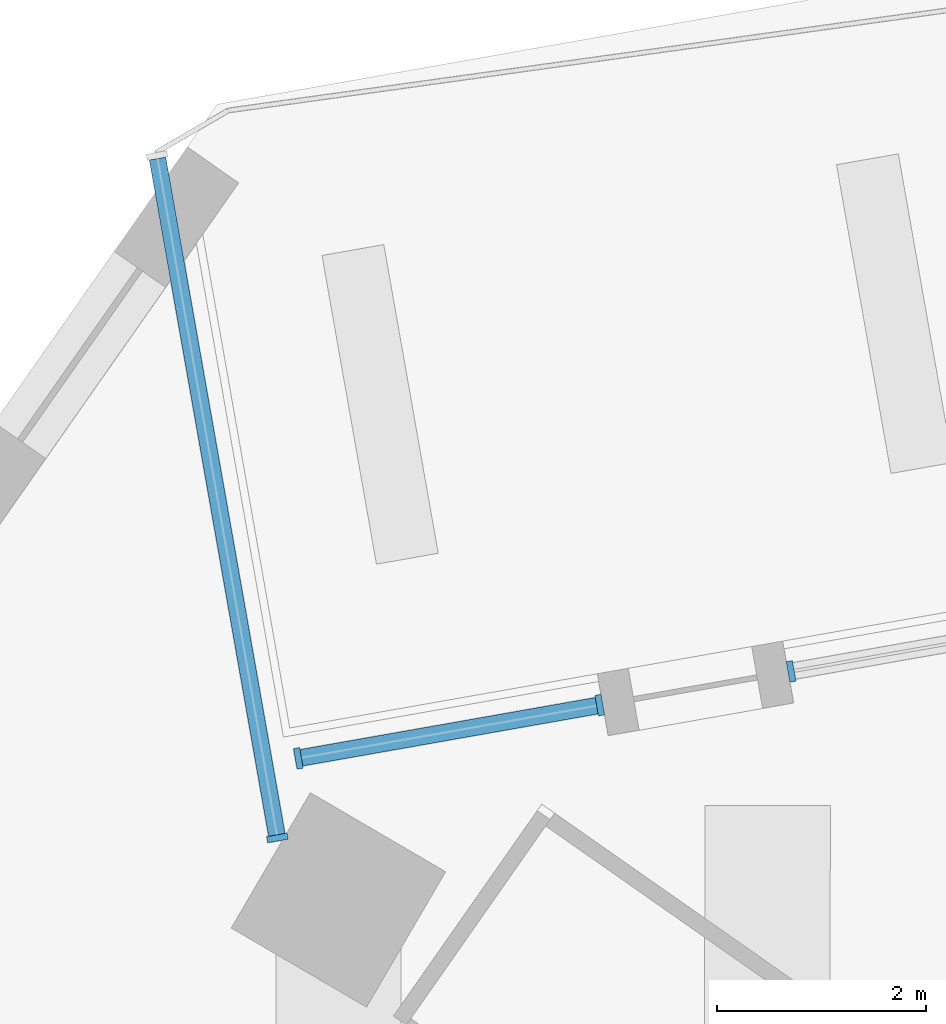
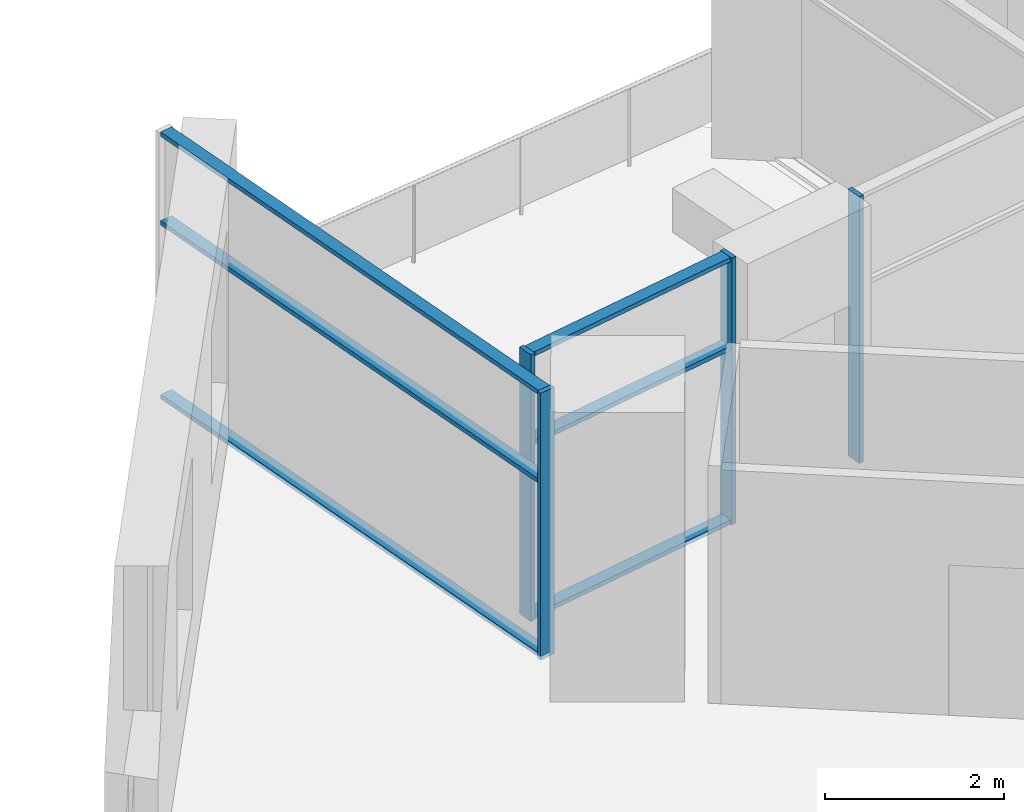
# One storey, part 2 of 13: 10 members, 3 elements without a shape of their own.
"""IFC4 building model written with IfcOpenShell, lengths in metres."""

import ifcopenshell
import ifcopenshell.guid

model = None  # the IFC model being written
_history = None  # IfcOwnerHistory: only IFC2X3 demands one
_inside = {}  # id of a spatial element -> (the spatial element, [elements in it])
_under = {}  # id of a project, library or spatial element -> (it, [spatial elements below it])
_declared = {}  # id of a project -> (the project, [libraries it declares])
_typed = {}  # id of a type object -> (the type object, [elements of that type])
_made_of = {}  # id of a material, layer set ... -> (it, [elements and type objects made of it])


def new_model(schema):
    """Start an empty IFC model of exactly this schema.

    Asked for "IFC4X3", IfcOpenShell would pick the latest addendum, in which some entities
    have other attributes; the version numbers below select the first issue.
    IFC2X3 requires an IfcOwnerHistory on every rooted entity: one is made here for all.
    """
    global model, _history
    if schema == "IFC4X3":
        model = ifcopenshell.file(schema_version=(4, 3, 0, 0))
    else:
        model = ifcopenshell.file(schema=schema)
    _inside.clear()
    _under.clear()
    _declared.clear()
    _typed.clear()
    _made_of.clear()
    _history = None
    if model.schema == "IFC2X3":
        org = make("IfcOrganization", Name="unknown")
        user = make(
            "IfcPersonAndOrganization",
            ThePerson=make("IfcPerson", FamilyName="unknown"),
            TheOrganization=org,
        )
        app = make(
            "IfcApplication",
            ApplicationDeveloper=org,
            Version="unknown",
            ApplicationFullName="unknown",
            ApplicationIdentifier="unknown",
        )
        _history = make(
            "IfcOwnerHistory",
            OwningUser=user,
            OwningApplication=app,
            ChangeAction="ADDED",
            CreationDate=0,
        )
    return model


def make(cls, **values):
    """One entity of the class cls with the attributes given. An attribute that is None is left unset."""
    return model.create_entity(
        cls, **{name: value for name, value in values.items() if value is not None}
    )


def rooted(cls, **values):
    """An entity with a GlobalId (a new one), such as an element, a storey or a relation."""
    return make(cls, GlobalId=ifcopenshell.guid.new(), OwnerHistory=_history, **values)


def si_unit(unit_type, name, prefix=None):
    """IfcSIUnit, for example si_unit("LENGTHUNIT", "METRE", prefix="MILLI")."""
    return make("IfcSIUnit", UnitType=unit_type, Prefix=prefix, Name=name)


def assignment(units):
    """IfcUnitAssignment: the units of a project."""
    return None if units is None else make("IfcUnitAssignment", Units=units)


def point(xyz):
    """IfcCartesianPoint."""
    return None if xyz is None else make("IfcCartesianPoint", Coordinates=xyz)


def direction(xyz):
    """IfcDirection."""
    return None if xyz is None else make("IfcDirection", DirectionRatios=xyz)


def frame(location, z_axis=None, x_axis=None):
    """IfcAxis2Placement3D, a coordinate frame: its origin and axes. An axis left out is left unset."""
    return make(
        "IfcAxis2Placement3D",
        Location=point(location),
        Axis=direction(z_axis),
        RefDirection=direction(x_axis),
    )


def frame_2d(location, x_axis=None):
    """IfcAxis2Placement2D, a coordinate frame in the plane: its origin and x axis."""
    return make(
        "IfcAxis2Placement2D", Location=point(location), RefDirection=direction(x_axis)
    )


def origin():
    """The frame at (0, 0, 0) with its axes left unset."""
    return frame((0.0, 0.0, 0.0))


def origin_2d():
    """The frame at (0, 0) in the plane with its x axis left unset."""
    return frame_2d((0.0, 0.0))


def place(relative_to, where):
    """IfcLocalPlacement: puts the frame where relative to a parent placement (None: the world)."""
    return make(
        "IfcLocalPlacement", PlacementRelTo=relative_to, RelativePlacement=where
    )


def context(
    kind, dimensions, precision=None, world=None, true_north=None, identifier=None
):
    """IfcGeometricRepresentationContext, for example the 3D "Model" context."""
    return make(
        "IfcGeometricRepresentationContext",
        ContextIdentifier=identifier,
        ContextType=kind,
        CoordinateSpaceDimension=dimensions,
        Precision=precision,
        WorldCoordinateSystem=world,
        TrueNorth=true_north,
    )


def subcontext(parent, identifier, kind, view, scale=None):
    """IfcGeometricRepresentationSubContext, for example "Body" below "Model"."""
    return make(
        "IfcGeometricRepresentationSubContext",
        ContextIdentifier=identifier,
        ContextType=kind,
        ParentContext=parent,
        TargetScale=scale,
        TargetView=view,
    )


def project(units=None, contexts=None):
    """IfcProject with its units and contexts."""
    return rooted(
        "IfcProject",
        Name="project",
        RepresentationContexts=contexts,
        UnitsInContext=assignment(units),
    )


def spatial(cls, under=None, at=None, **own):
    """A site, building, storey or space (cls), placed at a placement, below another one or the project."""
    s = rooted(cls, ObjectPlacement=at, **own)
    if under is not None:
        _under.setdefault(under.id(), (under, []))[1].append(s)
    return s


def profile(cls, at=None, kind="AREA", **sizes):
    """A parametric profile (cls). Its sizes go by their IFC names, for example OverallWidth=200.0."""
    return make(cls, ProfileType=kind, Position=at, **sizes)


def rectangle(**sizes):
    """IfcRectangleProfileDef."""
    return profile("IfcRectangleProfileDef", **sizes)


def extrude(swept, where, along, depth):
    """IfcExtrudedAreaSolid: the profile swept, set in the frame where, extruded along a direction by depth."""
    return make(
        "IfcExtrudedAreaSolid",
        SweptArea=swept,
        Position=where,
        ExtrudedDirection=direction(along),
        Depth=depth,
    )


def shape(context_of_items, identifier, shape_type, items):
    """IfcShapeRepresentation: the items that make up one representation, for example the "Body"."""
    return make(
        "IfcShapeRepresentation",
        ContextOfItems=context_of_items,
        RepresentationIdentifier=identifier,
        RepresentationType=shape_type,
        Items=items,
    )


def material(Name=None, Category=None):
    """IfcMaterial."""
    return make("IfcMaterial", Name=Name, Category=Category)


def material_profile(
    of_material, cross_section, Name=None, Category=None, Priority=None
):
    """IfcMaterialProfile: a cross section and its material."""
    return make(
        "IfcMaterialProfile",
        Name=Name,
        Material=of_material,
        Profile=cross_section,
        Priority=Priority,
        Category=Category,
    )


def profile_set(profiles, Name=None, composite=None):
    """IfcMaterialProfileSet."""
    return make(
        "IfcMaterialProfileSet",
        Name=Name,
        MaterialProfiles=profiles,
        CompositeProfile=composite,
    )


def made_of(thing, what):
    """Note that an element or type object is made of a material, layer set ...; save() writes the relation."""
    if what is not None:
        _made_of.setdefault(what.id(), (what, []))[1].append(thing)
    return thing


def type_object(cls, material=None, **own):
    """A type object (cls), such as IfcWallType, which elements share."""
    return made_of(rooted(cls, **own), material)


def element(
    cls,
    number,
    at=None,
    inside=None,
    cuts=None,
    type_object=None,
    material=None,
    context=None,
    identifier="Body",
    shape_type=None,
    held_by="IfcProductDefinitionShape",
    body=None,
    shapes=None,
    **own,
):
    """One element of the class cls, such as IfcWall. Its Tag is "e" and its number.

    at: its placement. inside: the storey or other place that contains it. cuts: it is an
    opening in that element (IfcRelVoidsElement). A single representation is given by context,
    identifier, shape_type and body (its items); several are given by shapes. held_by: the class
    of the entity that holds the representations. save() writes the other relations.
    """
    e = rooted(cls, Tag="e%d" % number, ObjectPlacement=at, **own)
    if body is not None:
        shapes = [shape(context, identifier, shape_type, body)]
    if shapes is not None:
        e.Representation = make(held_by, Representations=shapes)
    if inside is not None:
        _inside.setdefault(inside.id(), (inside, []))[1].append(e)
    if cuts is not None:
        rooted(
            "IfcRelVoidsElement", RelatingBuildingElement=cuts, RelatedOpeningElement=e
        )
    if type_object is not None:
        _typed.setdefault(type_object.id(), (type_object, []))[1].append(e)
    return made_of(e, material)


def aggregate(whole, parts):
    """IfcRelAggregates: a whole, such as a stair, and the parts it consists of."""
    return rooted("IfcRelAggregates", RelatingObject=whole, RelatedObjects=parts)


def save(model, path):
    """Write the relations noted so far, then the file.

    IfcRelAggregates (storeys below a building ...), IfcRelContainedInSpatialStructure (elements
    in a storey), IfcRelDefinesByType, IfcRelAssociatesMaterial and IfcRelDeclares: one each for
    every whole, place, type object, material and project.
    """
    for whole, parts in _under.values():
        aggregate(whole, parts)
    for where, things in _inside.values():
        rooted(
            "IfcRelContainedInSpatialStructure",
            RelatedElements=things,
            RelatingStructure=where,
        )
    for kind, things in _typed.values():
        rooted("IfcRelDefinesByType", RelatedObjects=things, RelatingType=kind)
    for what, things in _made_of.values():
        rooted("IfcRelAssociatesMaterial", RelatedObjects=things, RelatingMaterial=what)
    for by, libraries in _declared.values():
        rooted("IfcRelDeclares", RelatingContext=by, RelatedDefinitions=libraries)
    model.write(path)


model = new_model("IFC4")

# Units and contexts
model_context = context("Model", 3, precision=1e-05, world=origin(), true_north=direction((0.0, 1.0)))
body_context = subcontext(model_context, "Body", "Model", "MODEL_VIEW")
ifc_project = project(units=[si_unit("LENGTHUNIT", "METRE"), si_unit("AREAUNIT", "SQUARE_METRE"), si_unit("VOLUMEUNIT", "CUBIC_METRE"), si_unit("PLANEANGLEUNIT", "RADIAN"), si_unit("MASSUNIT", "GRAM", prefix="KILO")], contexts=[model_context])

# Site, building, storey
site_placement = place(None, origin())
site = spatial("IfcSite", under=ifc_project, at=site_placement, CompositionType="ELEMENT")
building_placement = place(site_placement, origin())
building = spatial("IfcBuilding", under=site, at=building_placement, Name="Dilmun Exchange Tower", CompositionType="ELEMENT")
storey_placement = place(building_placement, frame((0.0, 0.0, 242.89990234375)))
storey = spatial("IfcBuildingStorey", under=building, at=storey_placement, Name="L57", CompositionType="ELEMENT", Elevation=242.89990234375)

# Curtain wall, member
ifc_material_1 = material(Name="Anodised aluminium and clear glass", Category="aluminium")
curtain_wall_type = type_object("IfcCurtainWallType", Name="Garden corner glazing", PredefinedType="NOTDEFINED", material=ifc_material_1)
curtain_wall_1_placement = place(storey_placement, origin())
curtain_wall_1 = element("IfcCurtainWall", 1, at=curtain_wall_1_placement, inside=storey, type_object=curtain_wall_type, Name="Garden corner glazing run GC2.1", PredefinedType="NOTDEFINED")
ifc_material_2 = material(Name="Anodised aluminium", Category="aluminium")
ifc_material_profile_1 = material_profile(ifc_material_2, rectangle(XDim=0.199951171875, YDim=0.06005859375, at=origin_2d()), Name="AL 60x200")
ifc_profile_set_1 = profile_set([ifc_material_profile_1], Name="Anodised aluminium")
member_type_1 = type_object("IfcMemberType", Name="Garden corner glazing mullion 60 x 200", PredefinedType="MULLION", material=ifc_profile_set_1)
member_1_placement = place(storey_placement, frame((0.417236328125, 28.643798828125, 0.0), z_axis=(0.0, 0.0, 1.0), x_axis=(0.173630743351, -0.984810826993, 0.0)))
member_1 = element("IfcMember", 2, at=member_1_placement, type_object=member_type_1, Name="GC2.1 mullion 2", PredefinedType="MULLION", context=body_context, shape_type="SweptSolid", body=[
    extrude(rectangle(XDim=0.199951171875, YDim=0.06005859375, at=origin_2d()), origin(), (0.0, 0.0, 1.0), 3.64013671875),
])
aggregate(curtain_wall_1, [member_1])

# Curtain wall, members
curtain_wall_2_placement = place(storey_placement, origin())
curtain_wall_2 = element("IfcCurtainWall", 3, at=curtain_wall_2_placement, inside=storey, type_object=curtain_wall_type, Name="Garden corner glazing run GC2.3", PredefinedType="NOTDEFINED")
member_2_placement = place(storey_placement, frame((-1.41455078125, 28.32080078125, 0.0), z_axis=(0.0, 0.0, 1.0), x_axis=(0.173630743351, -0.984810826993, 0.0)))
member_2 = element("IfcMember", 4, at=member_2_placement, type_object=member_type_1, Name="GC2.3 mullion 1", PredefinedType="MULLION", context=body_context, shape_type="SweptSolid", body=[
    extrude(rectangle(XDim=0.199951171875, YDim=0.06005859375, at=origin_2d()), origin(), (0.0, 0.0, 1.0), 3.64013671875),
])
member_3_placement = place(storey_placement, frame((-4.299072265625, 27.81201171875, 0.0), z_axis=(0.0, 0.0, 1.0), x_axis=(0.173630743351, -0.984810826993, 0.0)))
member_3 = element("IfcMember", 5, at=member_3_placement, type_object=member_type_1, Name="GC2.3 mullion 2", PredefinedType="MULLION", context=body_context, shape_type="SweptSolid", body=[
    extrude(rectangle(XDim=0.199951171875, YDim=0.06005859375, at=origin_2d()), origin(), (0.0, 0.0, 1.0), 3.64013671875),
])

# Curtain wall, member
curtain_wall_3_placement = place(storey_placement, origin())
curtain_wall_3 = element("IfcCurtainWall", 6, at=curtain_wall_3_placement, inside=storey, type_object=curtain_wall_type, Name="Garden corner glazing run GC3.1", PredefinedType="NOTDEFINED")
member_4_placement = place(storey_placement, frame((-4.499755859375, 27.050048828125, 0.0), z_axis=(0.0, 0.0, 1.0), x_axis=(-0.984807317735, -0.173650646227, 0.0)))
member_4 = element("IfcMember", 7, at=member_4_placement, type_object=member_type_1, Name="GC3.1 mullion 1", PredefinedType="MULLION", context=body_context, shape_type="SweptSolid", body=[
    extrude(rectangle(XDim=0.199951171875, YDim=0.06005859375, at=origin_2d()), origin(), (0.0, 0.0, 1.0), 3.64013671875),
])

# Member
ifc_material_profile_2 = material_profile(ifc_material_2, rectangle(XDim=0.159912109375, YDim=0.06005859375, at=origin_2d()), Name="AL 60x160")
ifc_profile_set_2 = profile_set([ifc_material_profile_2], Name="Anodised aluminium")
member_type_2 = type_object("IfcMemberType", Name="Garden corner glazing transom 60 x 160", PredefinedType="USERDEFINED", material=ifc_profile_set_2)
member_5_placement = place(storey_placement, frame((-1.444091796875, 28.3154296875, 0.030029296875), z_axis=(-0.984816950826, -0.173596006194, 0.0), x_axis=(0.173596006194, -0.984816950826, 0.0)))
member_5 = element("IfcMember", 8, at=member_5_placement, type_object=member_type_2, Name="GC2.3 transom 1.1", ObjectType="TRANSOM", PredefinedType="USERDEFINED", context=body_context, shape_type="SweptSolid", body=[
    extrude(rectangle(XDim=0.159912109375, YDim=0.06005859375, at=origin_2d()), origin(), (0.0, 0.0, 1.0), 2.868896484375),
])

member_6_placement = place(storey_placement, frame((-1.444091796875, 28.3154296875, 2.400146484375), z_axis=(-0.984816950826, -0.173596006194, 0.0), x_axis=(0.173596006194, -0.984816950826, 0.0)))
member_6 = element("IfcMember", 9, at=member_6_placement, type_object=member_type_2, Name="GC2.3 transom 1.2", ObjectType="TRANSOM", PredefinedType="USERDEFINED", context=body_context, shape_type="SweptSolid", body=[
    extrude(rectangle(XDim=0.159912109375, YDim=0.06005859375, at=origin_2d()), origin(), (0.0, 0.0, 1.0), 2.868896484375),
])

member_7_placement = place(storey_placement, frame((-1.444091796875, 28.3154296875, 3.610107421875), z_axis=(-0.984816950826, -0.173596006194, 0.0), x_axis=(0.173596006194, -0.984816950826, 0.0)))
member_7 = element("IfcMember", 10, at=member_7_placement, type_object=member_type_2, Name="GC2.3 transom 1.3", ObjectType="TRANSOM", PredefinedType="USERDEFINED", context=body_context, shape_type="SweptSolid", body=[
    extrude(rectangle(XDim=0.159912109375, YDim=0.06005859375, at=origin_2d()), origin(), (0.0, 0.0, 1.0), 2.868896484375),
])

aggregate(curtain_wall_2, [member_2, member_3, member_5, member_6, member_7])

member_8_placement = place(storey_placement, frame((-4.505126953125, 27.07958984375, 0.030029296875), z_axis=(-0.173632748143, 0.984810473529, 0.0), x_axis=(-0.984810473529, -0.173632748143, 0.0)))
member_8 = element("IfcMember", 11, at=member_8_placement, type_object=member_type_2, Name="GC3.1 transom 1.1", ObjectType="TRANSOM", PredefinedType="USERDEFINED", context=body_context, shape_type="SweptSolid", body=[
    extrude(rectangle(XDim=0.159912109375, YDim=0.06005859375, at=origin_2d()), origin(), (0.0, 0.0, 1.0), 6.572021484375),
])

member_9_placement = place(storey_placement, frame((-4.505126953125, 27.07958984375, 2.400146484375), z_axis=(-0.173632748143, 0.984810473529, 0.0), x_axis=(-0.984810473529, -0.173632748143, 0.0)))
member_9 = element("IfcMember", 12, at=member_9_placement, type_object=member_type_2, Name="GC3.1 transom 1.2", ObjectType="TRANSOM", PredefinedType="USERDEFINED", context=body_context, shape_type="SweptSolid", body=[
    extrude(rectangle(XDim=0.159912109375, YDim=0.06005859375, at=origin_2d()), origin(), (0.0, 0.0, 1.0), 6.572021484375),
])

member_10_placement = place(storey_placement, frame((-4.505126953125, 27.07958984375, 3.610107421875), z_axis=(-0.173632748143, 0.984810473529, 0.0), x_axis=(-0.984810473529, -0.173632748143, 0.0)))
member_10 = element("IfcMember", 13, at=member_10_placement, type_object=member_type_2, Name="GC3.1 transom 1.3", ObjectType="TRANSOM", PredefinedType="USERDEFINED", context=body_context, shape_type="SweptSolid", body=[
    extrude(rectangle(XDim=0.159912109375, YDim=0.06005859375, at=origin_2d()), origin(), (0.0, 0.0, 1.0), 6.572021484375),
])

aggregate(curtain_wall_3, [member_4, member_8, member_9, member_10])

save(model, "model.ifc")
